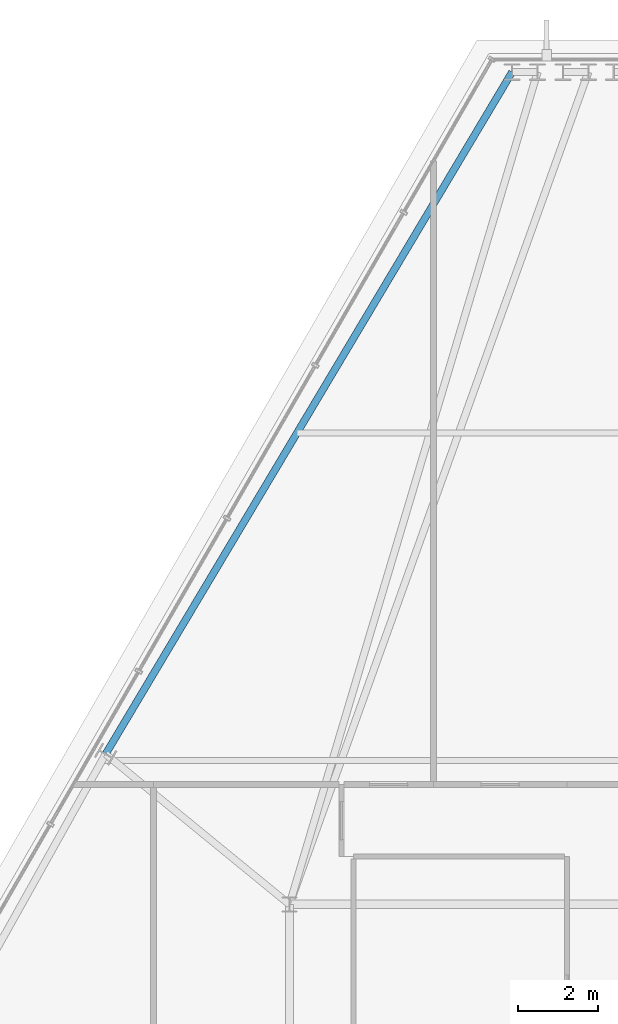
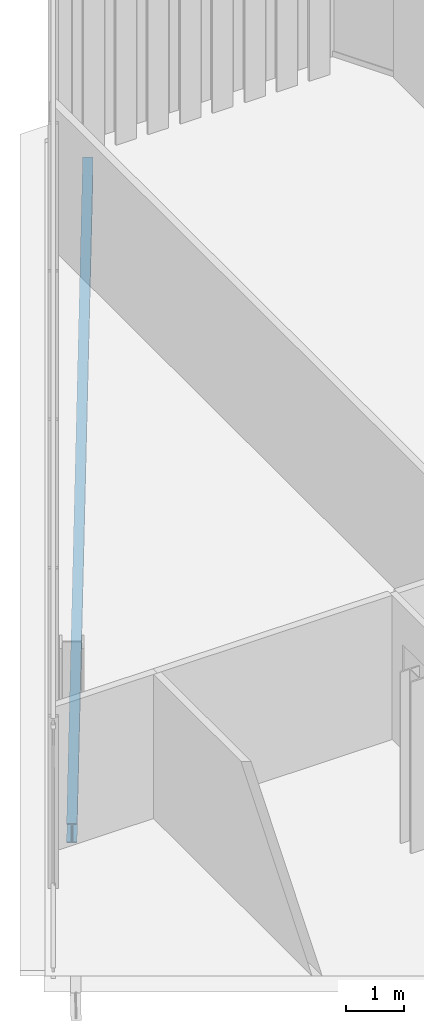
# One storey, part 15 of 34: 1 beam.
"""IFC4 building model written with IfcOpenShell, lengths in metres."""

import ifcopenshell
import ifcopenshell.guid

model = None  # the IFC model being written
_history = None  # IfcOwnerHistory: only IFC2X3 demands one
_inside = {}  # id of a spatial element -> (the spatial element, [elements in it])
_under = {}  # id of a project, library or spatial element -> (it, [spatial elements below it])
_declared = {}  # id of a project -> (the project, [libraries it declares])
_typed = {}  # id of a type object -> (the type object, [elements of that type])
_made_of = {}  # id of a material, layer set ... -> (it, [elements and type objects made of it])


def new_model(schema):
    """Start an empty IFC model of exactly this schema.

    Asked for "IFC4X3", IfcOpenShell would pick the latest addendum, in which some entities
    have other attributes; the version numbers below select the first issue.
    IFC2X3 requires an IfcOwnerHistory on every rooted entity: one is made here for all.
    """
    global model, _history
    if schema == "IFC4X3":
        model = ifcopenshell.file(schema_version=(4, 3, 0, 0))
    else:
        model = ifcopenshell.file(schema=schema)
    _inside.clear()
    _under.clear()
    _declared.clear()
    _typed.clear()
    _made_of.clear()
    _history = None
    if model.schema == "IFC2X3":
        org = make("IfcOrganization", Name="unknown")
        user = make(
            "IfcPersonAndOrganization",
            ThePerson=make("IfcPerson", FamilyName="unknown"),
            TheOrganization=org,
        )
        app = make(
            "IfcApplication",
            ApplicationDeveloper=org,
            Version="unknown",
            ApplicationFullName="unknown",
            ApplicationIdentifier="unknown",
        )
        _history = make(
            "IfcOwnerHistory",
            OwningUser=user,
            OwningApplication=app,
            ChangeAction="ADDED",
            CreationDate=0,
        )
    return model


def make(cls, **values):
    """One entity of the class cls with the attributes given. An attribute that is None is left unset."""
    return model.create_entity(
        cls, **{name: value for name, value in values.items() if value is not None}
    )


def rooted(cls, **values):
    """An entity with a GlobalId (a new one), such as an element, a storey or a relation."""
    return make(cls, GlobalId=ifcopenshell.guid.new(), OwnerHistory=_history, **values)


def si_unit(unit_type, name, prefix=None):
    """IfcSIUnit, for example si_unit("LENGTHUNIT", "METRE", prefix="MILLI")."""
    return make("IfcSIUnit", UnitType=unit_type, Prefix=prefix, Name=name)


def assignment(units):
    """IfcUnitAssignment: the units of a project."""
    return None if units is None else make("IfcUnitAssignment", Units=units)


def point(xyz):
    """IfcCartesianPoint."""
    return None if xyz is None else make("IfcCartesianPoint", Coordinates=xyz)


def direction(xyz):
    """IfcDirection."""
    return None if xyz is None else make("IfcDirection", DirectionRatios=xyz)


def frame(location, z_axis=None, x_axis=None):
    """IfcAxis2Placement3D, a coordinate frame: its origin and axes. An axis left out is left unset."""
    return make(
        "IfcAxis2Placement3D",
        Location=point(location),
        Axis=direction(z_axis),
        RefDirection=direction(x_axis),
    )


def frame_2d(location, x_axis=None):
    """IfcAxis2Placement2D, a coordinate frame in the plane: its origin and x axis."""
    return make(
        "IfcAxis2Placement2D", Location=point(location), RefDirection=direction(x_axis)
    )


def origin():
    """The frame at (0, 0, 0) with its axes left unset."""
    return frame((0.0, 0.0, 0.0))


def origin_2d():
    """The frame at (0, 0) in the plane with its x axis left unset."""
    return frame_2d((0.0, 0.0))


def place(relative_to, where):
    """IfcLocalPlacement: puts the frame where relative to a parent placement (None: the world)."""
    return make(
        "IfcLocalPlacement", PlacementRelTo=relative_to, RelativePlacement=where
    )


def context(
    kind, dimensions, precision=None, world=None, true_north=None, identifier=None
):
    """IfcGeometricRepresentationContext, for example the 3D "Model" context."""
    return make(
        "IfcGeometricRepresentationContext",
        ContextIdentifier=identifier,
        ContextType=kind,
        CoordinateSpaceDimension=dimensions,
        Precision=precision,
        WorldCoordinateSystem=world,
        TrueNorth=true_north,
    )


def subcontext(parent, identifier, kind, view, scale=None):
    """IfcGeometricRepresentationSubContext, for example "Body" below "Model"."""
    return make(
        "IfcGeometricRepresentationSubContext",
        ContextIdentifier=identifier,
        ContextType=kind,
        ParentContext=parent,
        TargetScale=scale,
        TargetView=view,
    )


def project(units=None, contexts=None):
    """IfcProject with its units and contexts."""
    return rooted(
        "IfcProject",
        Name="project",
        RepresentationContexts=contexts,
        UnitsInContext=assignment(units),
    )


def spatial(cls, under=None, at=None, **own):
    """A site, building, storey or space (cls), placed at a placement, below another one or the project."""
    s = rooted(cls, ObjectPlacement=at, **own)
    if under is not None:
        _under.setdefault(under.id(), (under, []))[1].append(s)
    return s


def profile(cls, at=None, kind="AREA", **sizes):
    """A parametric profile (cls). Its sizes go by their IFC names, for example OverallWidth=200.0."""
    return make(cls, ProfileType=kind, Position=at, **sizes)


def i_section(**sizes):
    """IfcIShapeProfileDef."""
    return profile("IfcIShapeProfileDef", **sizes)


def extrude(swept, where, along, depth):
    """IfcExtrudedAreaSolid: the profile swept, set in the frame where, extruded along a direction by depth."""
    return make(
        "IfcExtrudedAreaSolid",
        SweptArea=swept,
        Position=where,
        ExtrudedDirection=direction(along),
        Depth=depth,
    )


def shape(context_of_items, identifier, shape_type, items):
    """IfcShapeRepresentation: the items that make up one representation, for example the "Body"."""
    return make(
        "IfcShapeRepresentation",
        ContextOfItems=context_of_items,
        RepresentationIdentifier=identifier,
        RepresentationType=shape_type,
        Items=items,
    )


def material(Name=None, Category=None):
    """IfcMaterial."""
    return make("IfcMaterial", Name=Name, Category=Category)


def material_profile(
    of_material, cross_section, Name=None, Category=None, Priority=None
):
    """IfcMaterialProfile: a cross section and its material."""
    return make(
        "IfcMaterialProfile",
        Name=Name,
        Material=of_material,
        Profile=cross_section,
        Priority=Priority,
        Category=Category,
    )


def profile_set(profiles, Name=None, composite=None):
    """IfcMaterialProfileSet."""
    return make(
        "IfcMaterialProfileSet",
        Name=Name,
        MaterialProfiles=profiles,
        CompositeProfile=composite,
    )


def made_of(thing, what):
    """Note that an element or type object is made of a material, layer set ...; save() writes the relation."""
    if what is not None:
        _made_of.setdefault(what.id(), (what, []))[1].append(thing)
    return thing


def type_object(cls, material=None, **own):
    """A type object (cls), such as IfcWallType, which elements share."""
    return made_of(rooted(cls, **own), material)


def element(
    cls,
    number,
    at=None,
    inside=None,
    cuts=None,
    type_object=None,
    material=None,
    context=None,
    identifier="Body",
    shape_type=None,
    held_by="IfcProductDefinitionShape",
    body=None,
    shapes=None,
    **own,
):
    """One element of the class cls, such as IfcWall. Its Tag is "e" and its number.

    at: its placement. inside: the storey or other place that contains it. cuts: it is an
    opening in that element (IfcRelVoidsElement). A single representation is given by context,
    identifier, shape_type and body (its items); several are given by shapes. held_by: the class
    of the entity that holds the representations. save() writes the other relations.
    """
    e = rooted(cls, Tag="e%d" % number, ObjectPlacement=at, **own)
    if body is not None:
        shapes = [shape(context, identifier, shape_type, body)]
    if shapes is not None:
        e.Representation = make(held_by, Representations=shapes)
    if inside is not None:
        _inside.setdefault(inside.id(), (inside, []))[1].append(e)
    if cuts is not None:
        rooted(
            "IfcRelVoidsElement", RelatingBuildingElement=cuts, RelatedOpeningElement=e
        )
    if type_object is not None:
        _typed.setdefault(type_object.id(), (type_object, []))[1].append(e)
    return made_of(e, material)


def aggregate(whole, parts):
    """IfcRelAggregates: a whole, such as a stair, and the parts it consists of."""
    return rooted("IfcRelAggregates", RelatingObject=whole, RelatedObjects=parts)


def save(model, path):
    """Write the relations noted so far, then the file.

    IfcRelAggregates (storeys below a building ...), IfcRelContainedInSpatialStructure (elements
    in a storey), IfcRelDefinesByType, IfcRelAssociatesMaterial and IfcRelDeclares: one each for
    every whole, place, type object, material and project.
    """
    for whole, parts in _under.values():
        aggregate(whole, parts)
    for where, things in _inside.values():
        rooted(
            "IfcRelContainedInSpatialStructure",
            RelatedElements=things,
            RelatingStructure=where,
        )
    for kind, things in _typed.values():
        rooted("IfcRelDefinesByType", RelatedObjects=things, RelatingType=kind)
    for what, things in _made_of.values():
        rooted("IfcRelAssociatesMaterial", RelatedObjects=things, RelatingMaterial=what)
    for by, libraries in _declared.values():
        rooted("IfcRelDeclares", RelatingContext=by, RelatedDefinitions=libraries)
    model.write(path)


model = new_model("IFC4")

# Units and contexts
model_context = context("Model", 3, precision=1e-05, world=origin(), true_north=direction((0.0, 1.0)))
body_context = subcontext(model_context, "Body", "Model", "MODEL_VIEW")
ifc_project = project(units=[si_unit("LENGTHUNIT", "METRE"), si_unit("AREAUNIT", "SQUARE_METRE"), si_unit("VOLUMEUNIT", "CUBIC_METRE"), si_unit("PLANEANGLEUNIT", "RADIAN"), si_unit("MASSUNIT", "GRAM", prefix="KILO")], contexts=[model_context])

# Site, building, storey
site_placement = place(None, origin())
site = spatial("IfcSite", under=ifc_project, at=site_placement, CompositionType="ELEMENT")
building_placement = place(site_placement, origin())
building = spatial("IfcBuilding", under=site, at=building_placement, Name="Ndaravel Arena Tower", CompositionType="ELEMENT")
storey_placement = place(building_placement, frame((0.0, 0.0, 263.60009765625)))
storey = spatial("IfcBuildingStorey", under=building, at=storey_placement, Name="L64", CompositionType="ELEMENT", Elevation=263.60009765625)

# Beam
ifc_material = material(Name="Steel S355", Category="steel")
ifc_material_profile = material_profile(ifc_material, i_section(OverallWidth=0.179931640625, OverallDepth=0.39990234375, WebThickness=0.008544921875, FlangeThickness=0.013427734375, FilletRadius=0.02099609375, at=origin_2d()), Name="IPE 400")
ifc_profile_set = profile_set([ifc_material_profile], Name="Steel S355")
beam_type = type_object("IfcBeamType", Name="BM-SPAN-IPE400", PredefinedType="SPANDREL", material=ifc_profile_set)
beam_placement = place(storey_placement, frame((39.772705078125, 44.038330078125, -0.420166015625), z_axis=(-0.511957538503, -0.85901075591, 0.0), x_axis=(0.85901075591, -0.511957538503, 0.0)))
element("IfcBeam", 1, at=beam_placement, inside=storey, type_object=beam_type, Name="L64 Perimeter Spandrel Beam SP-18", PredefinedType="SPANDREL", context=body_context, shape_type="SweptSolid", body=[
    extrude(i_section(OverallWidth=0.179931640625, OverallDepth=0.39990234375, WebThickness=0.008544921875, FlangeThickness=0.013427734375, FilletRadius=0.02099609375, at=origin_2d()), origin(), (0.0, 0.0, 1.0), 19.877197265625),
])

save(model, "model.ifc")
